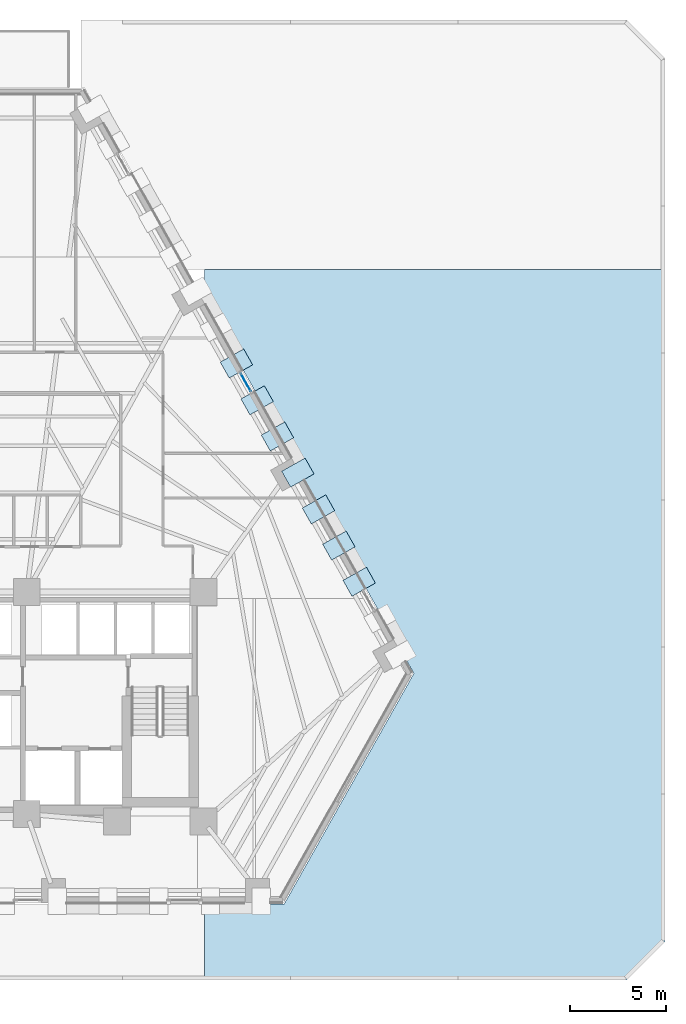
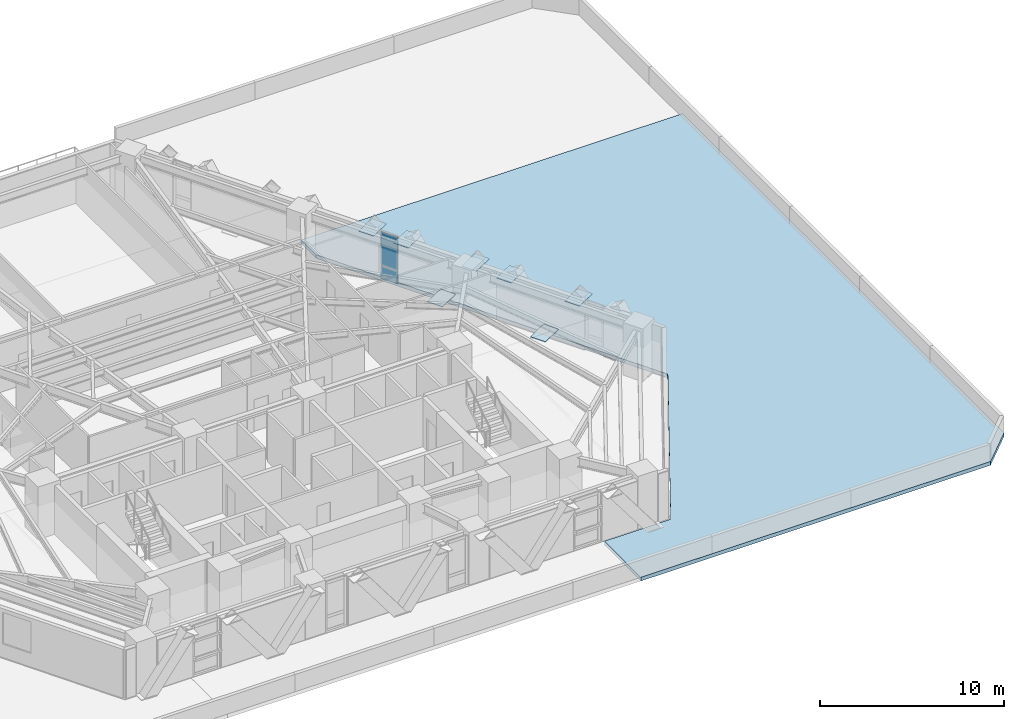
# One storey, part 6 of 14: 9 plates, 1 slab, 1 element without a shape of its own.
"""IFC4 building model written with IfcOpenShell, lengths in metres."""

from ifc_helpers import new_model, si_unit, direction, frame, origin, origin_2d, place, context, subcontext, project, spatial, polyline, rectangle, outline, extrude, material, layer, layer_set, type_object, element, aggregate, save


model = new_model("IFC4")

# Units and contexts
model_context = context("Model", 3, precision=1e-05, world=origin(), true_north=direction((0.0, 1.0)))
body_context = subcontext(model_context, "Body", "Model", "MODEL_VIEW")
ifc_project = project(units=[si_unit("LENGTHUNIT", "METRE"), si_unit("AREAUNIT", "SQUARE_METRE"), si_unit("VOLUMEUNIT", "CUBIC_METRE"), si_unit("PLANEANGLEUNIT", "RADIAN"), si_unit("MASSUNIT", "GRAM", prefix="KILO")], contexts=[model_context])

# Site, building, storey
site_placement = place(None, origin())
site = spatial("IfcSite", under=ifc_project, at=site_placement, CompositionType="ELEMENT")
building_placement = place(site_placement, origin())
building = spatial("IfcBuilding", under=site, at=building_placement, Name="Quenlor Broadcast Tower", CompositionType="ELEMENT")
storey_placement = place(building_placement, frame((0.0, 0.0, 27.60009765625)))
storey = spatial("IfcBuildingStorey", under=building, at=storey_placement, Name="L06", CompositionType="ELEMENT", Elevation=27.60009765625)

# Curtain wall, plates
ifc_material_1 = material(Name="Architectural Terracotta and Low-E Glazing", Category="masonry")
curtain_wall_type = type_object("IfcCurtainWallType", Name="Unitised Terracotta Curtain Wall System Z1", PredefinedType="NOTDEFINED", material=ifc_material_1)
curtain_wall_placement = place(storey_placement, origin())
curtain_wall = element("IfcCurtainWall", 1, at=curtain_wall_placement, inside=storey, type_object=curtain_wall_type, Name="L06 Curtain Wall CW1 (L06-NE-G1)", PredefinedType="NOTDEFINED")
ifc_material_2 = material(Name="Double Glazed Low-E Solar Glass", Category="glass")
ifc_layer_1 = layer(ifc_material_2, 0.031982421875)
ifc_layer_set_1 = layer_set([ifc_layer_1], Name="CW1 Double Glazed Vision Panel 32")
plate_type_1 = type_object("IfcPlateType", Name="CW1 Double Glazed Vision Panel 32", PredefinedType="CURTAIN_PANEL", material=ifc_layer_set_1)
plate_1_placement = place(storey_placement, frame((15.16064453125, 6.12158203125, 0.079833984375), z_axis=(0.0, 0.0, 1.0), x_axis=(0.490276943553, -0.871566703483, 0.0)))
plate_1 = element("IfcPlate", 2, at=plate_1_placement, type_object=plate_type_1, Name="CW1 panel 1.1", PredefinedType="CURTAIN_PANEL", context=body_context, shape_type="SweptSolid", body=[
    extrude(rectangle(XDim=1.04931640625, YDim=0.031982421875, at=origin_2d()), origin(), (0.0, 0.0, 1.0), 0.830078125),
])
plate_2_placement = place(storey_placement, frame((15.16064453125, 6.12158203125, 0.98974609375), z_axis=(0.0, 0.0, 1.0), x_axis=(0.490276943553, -0.871566703483, 0.0)))
plate_2 = element("IfcPlate", 3, at=plate_2_placement, type_object=plate_type_1, Name="CW1 panel 1.2", PredefinedType="CURTAIN_PANEL", context=body_context, shape_type="SweptSolid", body=[
    extrude(rectangle(XDim=1.04931640625, YDim=0.031982421875, at=origin_2d()), origin(), (0.0, 0.0, 1.0), 2.179931640625),
])
aggregate(curtain_wall, [plate_1, plate_2])

# Slab
ifc_material_3 = material(Name="Concrete C40/50", Category="concrete")
ifc_layer_2 = layer(ifc_material_3, 0.25)
ifc_layer_set_2 = layer_set([ifc_layer_2], Name="Podium Main Weatherproof Concrete C40/50 Roof Slab 250")
slab_type = type_object("IfcSlabType", Name="Podium Main Weatherproof Concrete C40/50 Roof Slab 250", PredefinedType="ROOF", material=ifc_layer_set_2)
slab_placement = place(storey_placement, frame((0.0, 0.0, -0.25)))
element("IfcSlab", 4, at=slab_placement, inside=storey, type_object=slab_type, Name="L06 Setback Weatherproof Roof Slab 2", PredefinedType="ROOF", context=body_context, shape_type="SweptSolid", body=[
    extrude(outline(polyline([(37.0, -23.0), (35.0, -25.0), (13.0, -25.0), (13.0, -21.0400390625), (17.159423828125, -21.0400390625), (23.913818359375, -9.031982421875), (13.0, 10.37060546875), (13.0, 12.0), (37.0, 12.0), (37.0, -23.0)])), origin(), (0.0, 0.0, 1.0), 0.25),
])

# Plates
ifc_material_4 = material(Name="Steel S355", Category="steel")
ifc_layer_3 = layer(ifc_material_4, 0.035888671875)
ifc_layer_set_3 = layer_set([ifc_layer_3], Name="Transfer Truss Steel S355 Gusset Node Plate 1400x950x36")
plate_type_2 = type_object("IfcPlateType", Name="Transfer Truss Steel S355 Gusset Node Plate 1400x950x36", PredefinedType="SHEET", material=ifc_layer_set_3)
for number, where, z_axis, x_axis, name in (
    (5, (14.673583984375, 7.109619140625, 3.18212890625), (0.0, 0.0, 1.0), (0.871556314255, 0.490295412055, 0.0), "L06 Lattice Tie Gusset Node NE-T7"),
    (6, (16.811279296875, 3.309326171875, 0.0419921875), (0.0, 0.0, 1.0), (0.871556314255, 0.490295412055, 0.0), "L06 Lattice Tie Gusset Node NE-B9"),
    (7, (15.751953125, 5.1923828125, 3.18212890625), (0.0, 0.0, 1.0), (0.871556314255, 0.490295412055, 0.0), "L06 Lattice Tie Gusset Node NE-T8"),
    (8, (17.870361328125, 1.426513671875, 3.18212890625), (0.0, 0.0, 1.0), (0.871556314255, 0.490295412055, 0.0), "L06 Lattice Tie Gusset Node NE-T10"),
    (9, (20.008056640625, -2.373779296875, 0.0419921875), (0.0, 0.0, 1.0), (0.871556314255, 0.490295412055, 0.0), "L06 Lattice Tie Gusset Node NE-B12"),
    (10, (18.94873046875, -0.49072265625, 3.18212890625), (0.0, 0.0, 1.0), (0.871556314255, 0.490295412055, 0.0), "L06 Lattice Tie Gusset Node NE-T11"),
    (11, (21.067138671875, -4.256591796875, 3.18212890625), (0.0, 0.0, 1.0), (0.871556314255, 0.490295412055, 0.0), "L06 Lattice Tie Gusset Node NE-T13"),
):
    element("IfcPlate", number, at=place(storey_placement, frame(where, z_axis=z_axis, x_axis=x_axis)), inside=storey, type_object=plate_type_2, Name=name, PredefinedType="SHEET", context=body_context, shape_type="SweptSolid", body=[
        extrude(rectangle(XDim=1.39990234375, YDim=0.949951171875, at=origin_2d()), origin(), (0.0, 0.0, 1.0), 0.035888671875),
    ])

save(model, "model.ifc")
